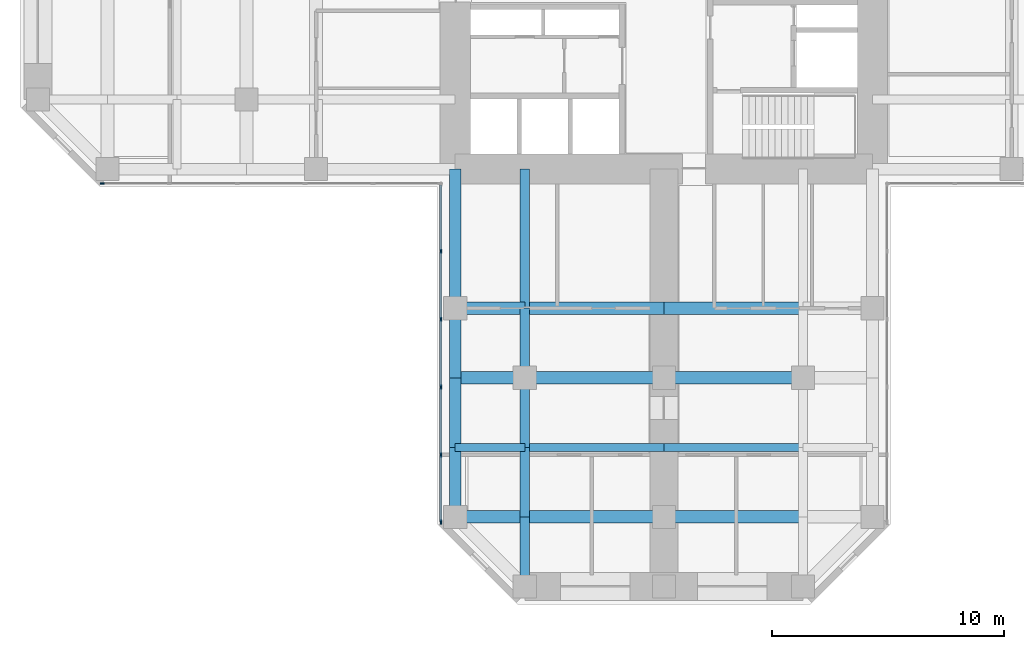
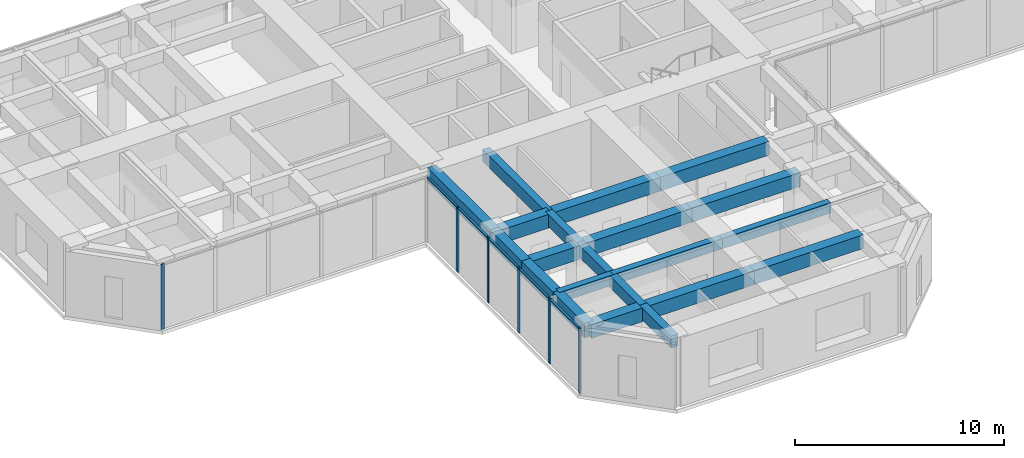
# One storey, part 2 of 13: 21 beams, 11 members, 2 elements without a shape of their own.
"""IFC4 building model written with IfcOpenShell, lengths in metres."""

from ifc_helpers import new_model, si_unit, direction, frame, origin, origin_2d, place, context, subcontext, project, spatial, rectangle, extrude, material, material_profile, profile_set, type_object, element, aggregate, save


model = new_model("IFC4")

# Units and contexts
model_context = context("Model", 3, precision=1e-05, world=origin(), true_north=direction((0.0, 1.0)))
body_context = subcontext(model_context, "Body", "Model", "MODEL_VIEW")
ifc_project = project(units=[si_unit("LENGTHUNIT", "METRE"), si_unit("AREAUNIT", "SQUARE_METRE"), si_unit("VOLUMEUNIT", "CUBIC_METRE"), si_unit("PLANEANGLEUNIT", "RADIAN"), si_unit("MASSUNIT", "GRAM", prefix="KILO")], contexts=[model_context])

# Site, building, storey
site_placement = place(None, origin())
site = spatial("IfcSite", under=ifc_project, at=site_placement, CompositionType="ELEMENT")
building_placement = place(site_placement, origin())
building = spatial("IfcBuilding", under=site, at=building_placement, Name="Torre Cruceta", CompositionType="ELEMENT")
storey_placement = place(building_placement, frame((0.0, 0.0, 152.5)))
storey = spatial("IfcBuildingStorey", under=building, at=storey_placement, Name="L37", CompositionType="ELEMENT", Elevation=152.5)

# Beams
ifc_material_1 = material(Name="Concrete G60 (fck 60 MPa)", Category="concrete")
ifc_material_profile_1 = material_profile(ifc_material_1, rectangle(XDim=0.39990234375, YDim=0.699951171875, at=origin_2d()), Name="RC 400X700")
ifc_profile_set_1 = profile_set([ifc_material_profile_1], Name="Concrete G60 (fck 60 MPa)")
beam_type_1 = type_object("IfcBeamType", Name="COLUMN LINE BEAM RC 400X700", PredefinedType="BEAM", material=ifc_profile_set_1)
beam_1_placement = place(storey_placement, frame((-6.0, -9.0, 3.449951171875), z_axis=(0.0, -1.0, 0.0), x_axis=(1.0, 0.0, 0.0)))
element("IfcBeam", 1, at=beam_1_placement, inside=storey, type_object=beam_type_1, Name="LB5 L37 S col- 1", PredefinedType="BEAM", context=body_context, shape_type="SweptSolid", body=[
    extrude(rectangle(XDim=0.39990234375, YDim=0.699951171875, at=origin_2d()), origin(), (0.0, 0.0, 1.0), 6.0),
])
for number, where, z_axis, x_axis, name in (
    (2, (-6.0, -15.0, 3.449951171875), (0.0, -1.0, 0.0), (1.0, 0.0, 0.0), "LB5 L37 S col- 2"),
    (3, (-6.0, -18.0, 3.449951171875), (0.0, -1.0, 0.0), (1.0, 0.0, 0.0), "LB5 L37 S col- 3"),
    (4, (-6.0, -21.0, 3.449951171875), (0.0, -1.0, 0.0), (1.0, 0.0, 0.0), "LB5 L37 S col- 4"),
    (5, (-6.0, -24.0, 3.449951171875), (0.0, -1.0, 0.0), (1.0, 0.0, 0.0), "LB5 L37 S col- 5"),
):
    element("IfcBeam", number, at=place(storey_placement, frame(where, z_axis=z_axis, x_axis=x_axis)), inside=storey, type_object=beam_type_1, Name=name, PredefinedType="BEAM", context=body_context, shape_type="SweptSolid", body=[
        extrude(rectangle(XDim=0.39990234375, YDim=0.699951171875, at=origin_2d()), origin(), (0.0, 0.0, 1.0), 3.0),
    ])
ifc_material_2 = material(Name="Concrete G60 (fck 60 MPa)", Category="concrete")
ifc_material_profile_2 = material_profile(ifc_material_2, rectangle(XDim=0.550048828125, YDim=0.800048828125, at=origin_2d()), Name="RC 550X800")
ifc_profile_set_2 = profile_set([ifc_material_profile_2], Name="Concrete G60 (fck 60 MPa)")
beam_type_2 = type_object("IfcBeamType", Name="CROSS BEAM RC 550X800", PredefinedType="BEAM", material=ifc_profile_set_2)
beam_2_placement = place(storey_placement, frame((-9.0, -15.0, 3.39990234375), z_axis=(1.0, 0.0, 0.0), x_axis=(0.0, 1.0, 0.0)))
element("IfcBeam", 6, at=beam_2_placement, inside=storey, type_object=beam_type_2, Name="GB5 L37 S cross15 1", PredefinedType="BEAM", context=body_context, shape_type="SweptSolid", body=[
    extrude(rectangle(XDim=0.550048828125, YDim=0.800048828125, at=origin_2d()), origin(), (0.0, 0.0, 1.0), 3.0),
])
for number, where, z_axis, x_axis, name in (
    (7, (-6.0, -15.0, 3.39990234375), (1.0, 0.0, 0.0), (0.0, 1.0, 0.0), "GB5 L37 S cross15 2"),
    (8, (0.0, -15.0, 3.39990234375), (1.0, 0.0, 0.0), (0.0, 1.0, 0.0), "GB5 L37 S cross15 3"),
):
    element("IfcBeam", number, at=place(storey_placement, frame(where, z_axis=z_axis, x_axis=x_axis)), inside=storey, type_object=beam_type_2, Name=name, PredefinedType="BEAM", context=body_context, shape_type="SweptSolid", body=[
        extrude(rectangle(XDim=0.550048828125, YDim=0.800048828125, at=origin_2d()), origin(), (0.0, 0.0, 1.0), 6.0),
    ])
beam_3_placement = place(storey_placement, frame((-9.0, -18.0, 3.39990234375), z_axis=(1.0, 0.0, 0.0), x_axis=(0.0, 1.0, 0.0)))
element("IfcBeam", 9, at=beam_3_placement, inside=storey, type_object=beam_type_2, Name="GB5 L37 S cross18 1", PredefinedType="BEAM", context=body_context, shape_type="SweptSolid", body=[
    extrude(rectangle(XDim=0.550048828125, YDim=0.800048828125, at=origin_2d()), origin(), (0.0, 0.0, 1.0), 3.0),
])
for number, where, z_axis, x_axis, name in (
    (10, (-6.0, -18.0, 3.39990234375), (1.0, 0.0, 0.0), (0.0, 1.0, 0.0), "GB5 L37 S cross18 2"),
    (11, (0.0, -18.0, 3.39990234375), (1.0, 0.0, 0.0), (0.0, 1.0, 0.0), "GB5 L37 S cross18 3"),
):
    element("IfcBeam", number, at=place(storey_placement, frame(where, z_axis=z_axis, x_axis=x_axis)), inside=storey, type_object=beam_type_2, Name=name, PredefinedType="BEAM", context=body_context, shape_type="SweptSolid", body=[
        extrude(rectangle(XDim=0.550048828125, YDim=0.800048828125, at=origin_2d()), origin(), (0.0, 0.0, 1.0), 6.0),
    ])
beam_4_placement = place(storey_placement, frame((-9.0, -24.0, 3.39990234375), z_axis=(1.0, 0.0, 0.0), x_axis=(0.0, 1.0, 0.0)))
element("IfcBeam", 12, at=beam_4_placement, inside=storey, type_object=beam_type_2, Name="GB5 L37 S cross24 1", PredefinedType="BEAM", context=body_context, shape_type="SweptSolid", body=[
    extrude(rectangle(XDim=0.550048828125, YDim=0.800048828125, at=origin_2d()), origin(), (0.0, 0.0, 1.0), 3.0),
])
for number, where, z_axis, x_axis, name in (
    (13, (-6.0, -24.0, 3.39990234375), (1.0, 0.0, 0.0), (0.0, 1.0, 0.0), "GB5 L37 S cross24 2"),
    (14, (0.0, -24.0, 3.39990234375), (1.0, 0.0, 0.0), (0.0, 1.0, 0.0), "GB5 L37 S cross24 3"),
):
    element("IfcBeam", number, at=place(storey_placement, frame(where, z_axis=z_axis, x_axis=x_axis)), inside=storey, type_object=beam_type_2, Name=name, PredefinedType="BEAM", context=body_context, shape_type="SweptSolid", body=[
        extrude(rectangle(XDim=0.550048828125, YDim=0.800048828125, at=origin_2d()), origin(), (0.0, 0.0, 1.0), 6.0),
    ])

# Curtain wall, member
ifc_material_3 = material(Name="Aluminium unitised curtain wall", Category="aluminium")
curtain_wall_type = type_object("IfcCurtainWallType", Name="CURTAIN WALL CW-B OFFICE MID RISE", PredefinedType="USERDEFINED", material=ifc_material_3)
curtain_wall_1_placement = place(storey_placement, origin())
curtain_wall_1 = element("IfcCurtainWall", 15, at=curtain_wall_1_placement, inside=storey, type_object=curtain_wall_type, Name="CW-B L37 W side 14", ObjectType="UNITISED", PredefinedType="USERDEFINED")
ifc_material_4 = material(Name="Aluminium mullion", Category="aluminium")
ifc_material_profile_3 = material_profile(ifc_material_4, rectangle(XDim=0.06494140625, YDim=0.179931640625, at=origin_2d()), Name="AL 65X180")
ifc_profile_set_3 = profile_set([ifc_material_profile_3], Name="Aluminium mullion")
member_type_1 = type_object("IfcMemberType", Name="CW-B MULLION 65X180", PredefinedType="MULLION", material=ifc_profile_set_3)
member_1_placement = place(storey_placement, frame((-24.224365234375, -9.6201171875, 0.0), z_axis=(0.0, 0.0, 1.0), x_axis=(0.0, 1.0, 0.0)))
member_1 = element("IfcMember", 16, at=member_1_placement, type_object=member_type_1, Name="CW-B mullion 1", PredefinedType="MULLION", context=body_context, shape_type="SweptSolid", body=[
    extrude(rectangle(XDim=0.06494140625, YDim=0.179931640625, at=origin_2d()), origin(), (0.0, 0.0, 1.0), 3.800048828125),
])
aggregate(curtain_wall_1, [member_1])

# Curtain wall, members
curtain_wall_2_placement = place(storey_placement, origin())
curtain_wall_2 = element("IfcCurtainWall", 17, at=curtain_wall_2_placement, inside=storey, type_object=curtain_wall_type, Name="CW-B L37 S side 15", ObjectType="UNITISED", PredefinedType="USERDEFINED")
member_2_placement = place(storey_placement, frame((-9.6201171875, -12.54736328125, 0.0), z_axis=(0.0, 0.0, 1.0), x_axis=(1.0, 0.0, 0.0)))
member_2 = element("IfcMember", 18, at=member_2_placement, type_object=member_type_1, Name="CW-B mullion 2", PredefinedType="MULLION", context=body_context, shape_type="SweptSolid", body=[
    extrude(rectangle(XDim=0.06494140625, YDim=0.179931640625, at=origin_2d()), origin(), (0.0, 0.0, 1.0), 3.800048828125),
])
member_3_placement = place(storey_placement, frame((-9.6201171875, -15.474609375, 0.0), z_axis=(0.0, 0.0, 1.0), x_axis=(1.0, 0.0, 0.0)))
member_3 = element("IfcMember", 19, at=member_3_placement, type_object=member_type_1, Name="CW-B mullion 3", PredefinedType="MULLION", context=body_context, shape_type="SweptSolid", body=[
    extrude(rectangle(XDim=0.06494140625, YDim=0.179931640625, at=origin_2d()), origin(), (0.0, 0.0, 1.0), 3.800048828125),
])
member_4_placement = place(storey_placement, frame((-9.6201171875, -18.402099609375, 0.0), z_axis=(0.0, 0.0, 1.0), x_axis=(1.0, 0.0, 0.0)))
member_4 = element("IfcMember", 20, at=member_4_placement, type_object=member_type_1, Name="CW-B mullion 4", PredefinedType="MULLION", context=body_context, shape_type="SweptSolid", body=[
    extrude(rectangle(XDim=0.06494140625, YDim=0.179931640625, at=origin_2d()), origin(), (0.0, 0.0, 1.0), 3.800048828125),
])
member_5_placement = place(storey_placement, frame((-9.6201171875, -21.329345703125, 0.0), z_axis=(0.0, 0.0, 1.0), x_axis=(1.0, 0.0, 0.0)))
member_5 = element("IfcMember", 21, at=member_5_placement, type_object=member_type_1, Name="CW-B mullion 5", PredefinedType="MULLION", context=body_context, shape_type="SweptSolid", body=[
    extrude(rectangle(XDim=0.06494140625, YDim=0.179931640625, at=origin_2d()), origin(), (0.0, 0.0, 1.0), 3.800048828125),
])
member_6_placement = place(storey_placement, frame((-9.6201171875, -24.224365234375, 0.0), z_axis=(0.0, 0.0, 1.0), x_axis=(1.0, 0.0, 0.0)))
member_6 = element("IfcMember", 22, at=member_6_placement, type_object=member_type_1, Name="CW-B mullion 6", PredefinedType="MULLION", context=body_context, shape_type="SweptSolid", body=[
    extrude(rectangle(XDim=0.06494140625, YDim=0.179931640625, at=origin_2d()), origin(), (0.0, 0.0, 1.0), 3.800048828125),
])
ifc_material_5 = material(Name="Aluminium transom", Category="aluminium")
ifc_material_profile_4 = material_profile(ifc_material_5, rectangle(XDim=0.110107421875, YDim=0.06494140625, at=origin_2d()), Name="AL 110X65")
ifc_profile_set_4 = profile_set([ifc_material_profile_4], Name="Aluminium transom")
member_type_2 = type_object("IfcMemberType", Name="CW-B TRANSOM 65X110", PredefinedType="USERDEFINED", material=ifc_profile_set_4)
member_7_placement = place(storey_placement, frame((-9.6201171875, -9.68505859375, 3.767578125), z_axis=(0.0, -1.0, 0.0), x_axis=(1.0, 0.0, 0.0)))
member_7 = element("IfcMember", 23, at=member_7_placement, type_object=member_type_2, Name="CW-B transom 1", ObjectType="TRANSOM", PredefinedType="USERDEFINED", context=body_context, shape_type="SweptSolid", body=[
    extrude(rectangle(XDim=0.110107421875, YDim=0.06494140625, at=origin_2d()), origin(), (0.0, 0.0, 1.0), 2.829833984375),
])
member_8_placement = place(storey_placement, frame((-9.6201171875, -12.579833984375, 3.767578125), z_axis=(0.0, -1.0, 0.0), x_axis=(1.0, 0.0, 0.0)))
member_8 = element("IfcMember", 24, at=member_8_placement, type_object=member_type_2, Name="CW-B transom 2", ObjectType="TRANSOM", PredefinedType="USERDEFINED", context=body_context, shape_type="SweptSolid", body=[
    extrude(rectangle(XDim=0.110107421875, YDim=0.06494140625, at=origin_2d()), origin(), (0.0, 0.0, 1.0), 2.8623046875),
])
member_9_placement = place(storey_placement, frame((-9.6201171875, -15.50732421875, 3.767578125), z_axis=(0.0, -1.0, 0.0), x_axis=(1.0, 0.0, 0.0)))
member_9 = element("IfcMember", 25, at=member_9_placement, type_object=member_type_2, Name="CW-B transom 3", ObjectType="TRANSOM", PredefinedType="USERDEFINED", context=body_context, shape_type="SweptSolid", body=[
    extrude(rectangle(XDim=0.110107421875, YDim=0.06494140625, at=origin_2d()), origin(), (0.0, 0.0, 1.0), 2.8623046875),
])
member_10_placement = place(storey_placement, frame((-9.6201171875, -18.4345703125, 3.767578125), z_axis=(0.0, -1.0, 0.0), x_axis=(1.0, 0.0, 0.0)))
member_10 = element("IfcMember", 26, at=member_10_placement, type_object=member_type_2, Name="CW-B transom 4", ObjectType="TRANSOM", PredefinedType="USERDEFINED", context=body_context, shape_type="SweptSolid", body=[
    extrude(rectangle(XDim=0.110107421875, YDim=0.06494140625, at=origin_2d()), origin(), (0.0, 0.0, 1.0), 2.8623046875),
])
member_11_placement = place(storey_placement, frame((-9.6201171875, -21.362060546875, 3.767578125), z_axis=(0.0, -1.0, 0.0), x_axis=(1.0, 0.0, 0.0)))
member_11 = element("IfcMember", 27, at=member_11_placement, type_object=member_type_2, Name="CW-B transom 5", ObjectType="TRANSOM", PredefinedType="USERDEFINED", context=body_context, shape_type="SweptSolid", body=[
    extrude(rectangle(XDim=0.110107421875, YDim=0.06494140625, at=origin_2d()), origin(), (0.0, 0.0, 1.0), 2.829833984375),
])
aggregate(curtain_wall_2, [member_2, member_3, member_4, member_5, member_6, member_7, member_8, member_9, member_10, member_11])

# Beams
ifc_material_6 = material(Name="Concrete G60 (fck 60 MPa)", Category="concrete")
ifc_material_profile_5 = material_profile(ifc_material_6, rectangle(XDim=0.35009765625, YDim=0.60009765625, at=origin_2d()), Name="RC 350X600")
ifc_profile_set_5 = profile_set([ifc_material_profile_5], Name="Concrete G60 (fck 60 MPa)")
beam_type_3 = type_object("IfcBeamType", Name="SECONDARY BEAM RC 350X600", PredefinedType="JOIST", material=ifc_profile_set_5)
beam_5_placement = place(storey_placement, frame((-9.0, -21.0, 3.5), z_axis=(1.0, 0.0, 0.0), x_axis=(0.0, 1.0, 0.0)))
element("IfcBeam", 28, at=beam_5_placement, inside=storey, type_object=beam_type_3, Name="JB5 L37 S sec21 1", PredefinedType="JOIST", context=body_context, shape_type="SweptSolid", body=[
    extrude(rectangle(XDim=0.35009765625, YDim=0.60009765625, at=origin_2d()), origin(), (0.0, 0.0, 1.0), 3.0),
])
for number, where, z_axis, x_axis, name in (
    (29, (-6.0, -21.0, 3.5), (1.0, 0.0, 0.0), (0.0, 1.0, 0.0), "JB5 L37 S sec21 2"),
    (30, (0.0, -21.0, 3.5), (1.0, 0.0, 0.0), (0.0, 1.0, 0.0), "JB5 L37 S sec21 3"),
):
    element("IfcBeam", number, at=place(storey_placement, frame(where, z_axis=z_axis, x_axis=x_axis)), inside=storey, type_object=beam_type_3, Name=name, PredefinedType="JOIST", context=body_context, shape_type="SweptSolid", body=[
        extrude(rectangle(XDim=0.35009765625, YDim=0.60009765625, at=origin_2d()), origin(), (0.0, 0.0, 1.0), 6.0),
    ])
ifc_material_7 = material(Name="Concrete G60 (fck 60 MPa)", Category="concrete")
ifc_material_profile_6 = material_profile(ifc_material_7, rectangle(XDim=0.5, YDim=0.85009765625, at=origin_2d()), Name="RC 500X850")
ifc_profile_set_6 = profile_set([ifc_material_profile_6], Name="Concrete G60 (fck 60 MPa)")
beam_type_4 = type_object("IfcBeamType", Name="SPANDREL BEAM RC 500X850", PredefinedType="SPANDREL", material=ifc_profile_set_6)
beam_6_placement = place(storey_placement, frame((-9.0, -9.0, 3.375), z_axis=(0.0, -1.0, 0.0), x_axis=(1.0, 0.0, 0.0)))
element("IfcBeam", 31, at=beam_6_placement, inside=storey, type_object=beam_type_4, Name="SB5 L37 S side- 1", PredefinedType="SPANDREL", context=body_context, shape_type="SweptSolid", body=[
    extrude(rectangle(XDim=0.5, YDim=0.85009765625, at=origin_2d()), origin(), (0.0, 0.0, 1.0), 6.0),
])
for number, where, z_axis, x_axis, name in (
    (32, (-9.0, -15.0, 3.375), (0.0, -1.0, 0.0), (1.0, 0.0, 0.0), "SB5 L37 S side- 2"),
    (33, (-9.0, -18.0, 3.375), (0.0, -1.0, 0.0), (1.0, 0.0, 0.0), "SB5 L37 S side- 3"),
    (34, (-9.0, -21.0, 3.375), (0.0, -1.0, 0.0), (1.0, 0.0, 0.0), "SB5 L37 S side- 4"),
):
    element("IfcBeam", number, at=place(storey_placement, frame(where, z_axis=z_axis, x_axis=x_axis)), inside=storey, type_object=beam_type_4, Name=name, PredefinedType="SPANDREL", context=body_context, shape_type="SweptSolid", body=[
        extrude(rectangle(XDim=0.5, YDim=0.85009765625, at=origin_2d()), origin(), (0.0, 0.0, 1.0), 3.0),
    ])

save(model, "model.ifc")
